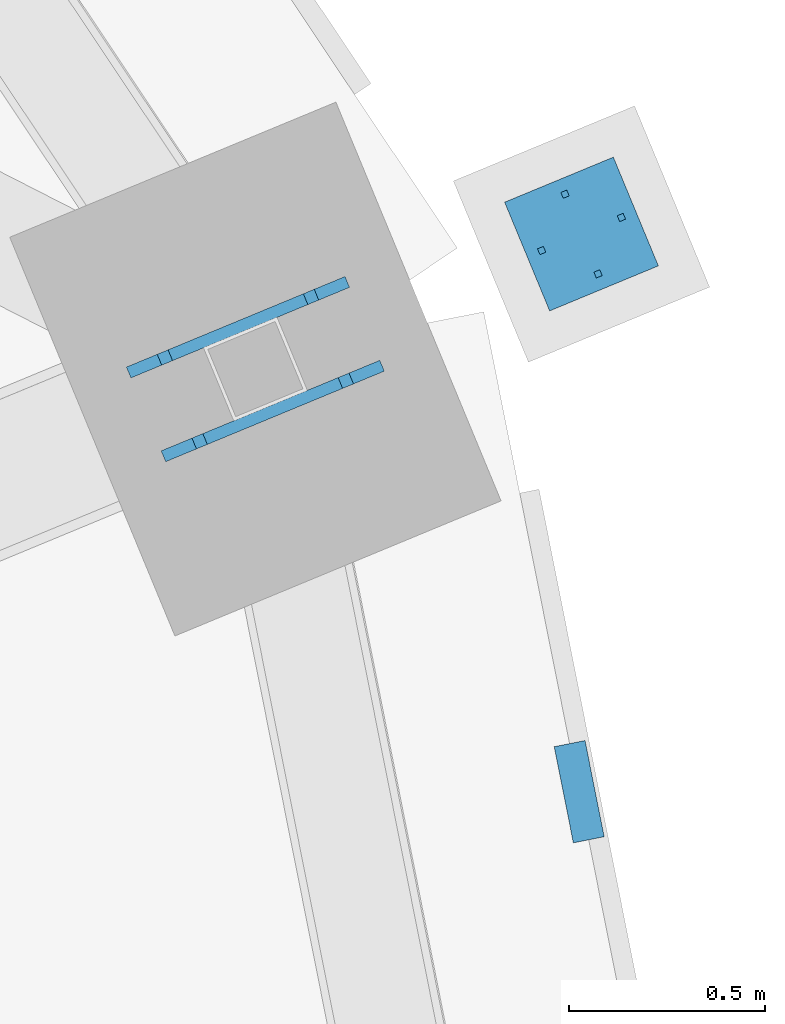
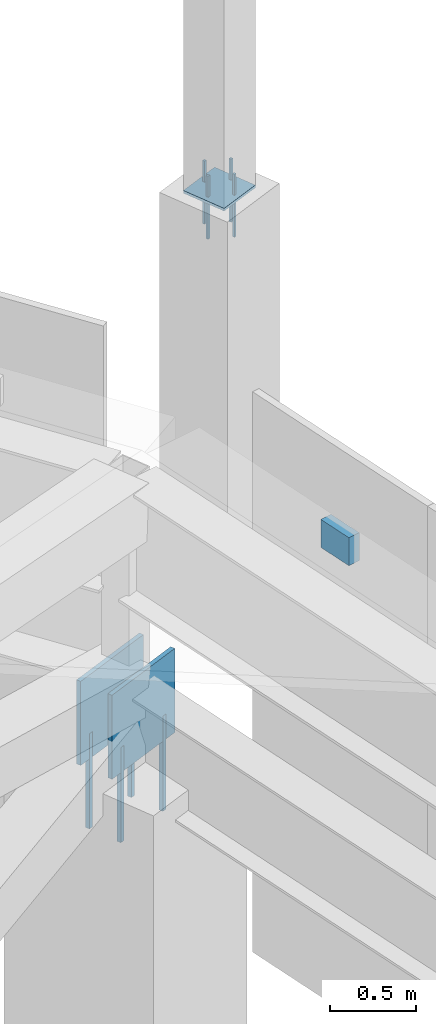
# One storey, part 264 of 278: 8 mechanical fasteners, 4 discrete accessories.
"""IFC4 building model written with IfcOpenShell, lengths in metres."""

from ifc_helpers import new_model, si_unit, direction, frame, origin, origin_2d, place, context, subcontext, project, spatial, rectangle, extrude, material, layer, layer_set, type_object, element, save


model = new_model("IFC4")

# Units and contexts
model_context = context("Model", 3, precision=1e-05, world=origin(), true_north=direction((0.0, 1.0)))
body_context = subcontext(model_context, "Body", "Model", "MODEL_VIEW")
ifc_project = project(units=[si_unit("LENGTHUNIT", "METRE"), si_unit("AREAUNIT", "SQUARE_METRE"), si_unit("VOLUMEUNIT", "CUBIC_METRE"), si_unit("PLANEANGLEUNIT", "RADIAN"), si_unit("MASSUNIT", "GRAM", prefix="KILO")], contexts=[model_context])

# Site, building, storey
site_placement = place(None, origin())
site = spatial("IfcSite", under=ifc_project, at=site_placement, CompositionType="ELEMENT")
building_placement = place(site_placement, origin())
building = spatial("IfcBuilding", under=site, at=building_placement, Name="Ogive Plaza Stadium", CompositionType="ELEMENT")
storey_placement = place(building_placement, frame((0.0, 0.0, 29.0)))
storey = spatial("IfcBuildingStorey", under=building, at=storey_placement, Name="Roof", CompositionType="ELEMENT", Elevation=29.0)

# Mechanical fasteners
ifc_material_1 = material(Name="Steel ASTM A992 Grade 50", Category="steel")
mechanical_fastener_type_1 = type_object("IfcMechanicalFastenerType", Name="Anchor bolt M30 x 600", PredefinedType="ANCHORBOLT", material=ifc_material_1)
for number, where, z_axis, x_axis, name in (
    (1, (80.3359375, 71.818115234375, 3.0), (0.0, 0.0, 1.0), (0.923879532511, 0.382683432365, 0.0), "ANCHOR BOLT 40 BF 1.1"),
    (2, (79.96337890625, 71.663818359375, 3.0), (0.0, 0.0, 1.0), (0.923879532511, 0.382683432365, 0.0), "ANCHOR BOLT 40 BF 1.2"),
    (3, (80.424560546875, 71.6044921875, 3.0), (0.0, 0.0, 1.0), (0.923879532511, 0.382683432365, 0.0), "ANCHOR BOLT 40 BF 2.1"),
    (4, (80.052001953125, 71.4501953125, 3.0), (0.0, 0.0, 1.0), (0.923879532511, 0.382683432365, 0.0), "ANCHOR BOLT 40 BF 2.2"),
):
    element("IfcMechanicalFastener", number, at=place(storey_placement, frame(where, z_axis=z_axis, x_axis=x_axis)), inside=storey, type_object=mechanical_fastener_type_1, Name=name, PredefinedType="ANCHORBOLT", context=body_context, shape_type="SweptSolid", body=[
        extrude(rectangle(XDim=0.030029296875, YDim=0.030029296875, at=origin_2d()), origin(), (0.0, 0.0, 1.0), 0.679931640625),
    ])
ifc_material_2 = material(Name="Steel ASTM A992 Grade 50", Category="steel")
mechanical_fastener_type_2 = type_object("IfcMechanicalFastenerType", Name="Spire anchor bolt M16 x 450", PredefinedType="ANCHORBOLT", material=ifc_material_2)
for number, where, z_axis, x_axis, name in (
    (5, (81.127197265625, 72.020751953125, 6.7001953125), (0.0, 0.0, 1.0), (0.923879532511, 0.382683432365, 0.0), "SPIRE ANCHOR BOLT 40 1"),
    (6, (80.923828125, 71.9365234375, 6.7001953125), (0.0, 0.0, 1.0), (0.923879532511, 0.382683432365, 0.0), "SPIRE ANCHOR BOLT 40 2"),
    (7, (80.9833984375, 72.080078125, 6.7001953125), (0.0, 0.0, 1.0), (0.923879532511, 0.382683432365, 0.0), "SPIRE ANCHOR BOLT 40 3"),
    (8, (81.067626953125, 71.876953125, 6.7001953125), (0.0, 0.0, 1.0), (0.923879532511, 0.382683432365, 0.0), "SPIRE ANCHOR BOLT 40 4"),
):
    element("IfcMechanicalFastener", number, at=place(storey_placement, frame(where, z_axis=z_axis, x_axis=x_axis)), inside=storey, type_object=mechanical_fastener_type_2, Name=name, PredefinedType="ANCHORBOLT", context=body_context, shape_type="SweptSolid", body=[
        extrude(rectangle(XDim=0.01611328125, YDim=0.01611328125, at=origin_2d()), origin(), (0.0, 0.0, 1.0), 0.449951171875),
    ])

# Discrete accessories
ifc_material_3 = material(Name="Steel ASTM A992 Grade 50", Category="steel")
ifc_layer_1 = layer(ifc_material_3, 0.02001953125)
ifc_layer_set_1 = layer_set([ifc_layer_1], Name="Steel ASTM A992 Grade 50")
discrete_accessory_type_1 = type_object("IfcDiscreteAccessoryType", Name="Spire seat plate 20", PredefinedType="ANCHORPLATE", material=ifc_layer_set_1)
discrete_accessory_1_placement = place(storey_placement, frame((81.025390625, 71.978515625, 6.98095703125), z_axis=(0.0, 0.0, 1.0), x_axis=(0.923879532511, 0.382683432365, 0.0)))
element("IfcDiscreteAccessory", 9, at=discrete_accessory_1_placement, inside=storey, type_object=discrete_accessory_type_1, Name="SPIRE SEAT PLATE 40", PredefinedType="ANCHORPLATE", context=body_context, shape_type="SweptSolid", body=[
    extrude(rectangle(XDim=0.300048828125, YDim=0.300048828125, at=origin_2d()), origin(), (0.0, 0.0, 1.0), 0.02001953125),
])
ifc_material_4 = material(Name="Steel ASTM A572 Grade 50", Category="steel")
ifc_layer_2 = layer(ifc_material_4, 0.080078125)
ifc_layer_set_2 = layer_set([ifc_layer_2], Name="Steel ASTM A572 Grade 50")
discrete_accessory_type_2 = type_object("IfcDiscreteAccessoryType", Name="Tracery screen bracket 250x200", PredefinedType="BRACKET", material=ifc_layer_set_2)
discrete_accessory_2_placement = place(storey_placement, frame((81.01953125, 70.556884765625, 5.25), z_axis=(0.0, 0.0, 1.0), x_axis=(0.195090322016, -0.980785280403, 0.0)))
element("IfcDiscreteAccessory", 10, at=discrete_accessory_2_placement, inside=storey, type_object=discrete_accessory_type_2, Name="TRACERY SCREEN BRACKET B40 1", PredefinedType="BRACKET", context=body_context, shape_type="SweptSolid", body=[
    extrude(rectangle(XDim=0.25, YDim=0.080078125, at=origin_2d()), origin(), (0.0, 0.0, 1.0), 0.199951171875),
])
ifc_material_5 = material(Name="Steel ASTM A992 Grade 50", Category="steel")
ifc_layer_3 = layer(ifc_material_5, 0.030029296875)
ifc_layer_set_3 = layer_set([ifc_layer_3], Name="Steel ASTM A992 Grade 50")
discrete_accessory_type_3 = type_object("IfcDiscreteAccessoryType", Name="Truss back-stay foot cleat plate 30", PredefinedType="ANCHORPLATE", material=ifc_layer_set_3)
for number, where, z_axis, x_axis, name in (
    (11, (80.149658203125, 71.740966796875, 3.5), (0.0, 0.0, 1.0), (0.923879532511, 0.382683432365, 0.0), "TRUSS BACK-STAY FOOT CLEAT PLATE 40 1"),
    (12, (80.23828125, 71.52734375, 3.5), (0.0, 0.0, 1.0), (0.923879532511, 0.382683432365, 0.0), "TRUSS BACK-STAY FOOT CLEAT PLATE 40 2"),
):
    element("IfcDiscreteAccessory", number, at=place(storey_placement, frame(where, z_axis=z_axis, x_axis=x_axis)), inside=storey, type_object=discrete_accessory_type_3, Name=name, PredefinedType="ANCHORPLATE", context=body_context, shape_type="SweptSolid", body=[
        extrude(rectangle(XDim=0.603271484375, YDim=0.030029296875, at=origin_2d()), origin(), (0.0, 0.0, 1.0), 0.60009765625),
    ])

save(model, "model.ifc")
